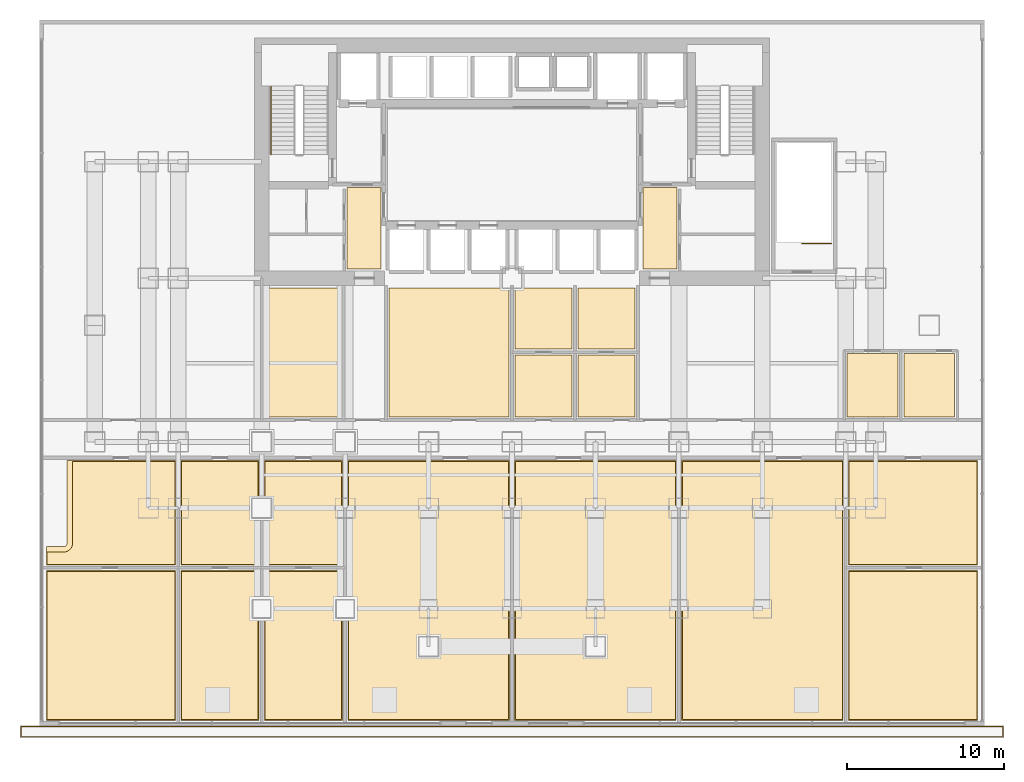
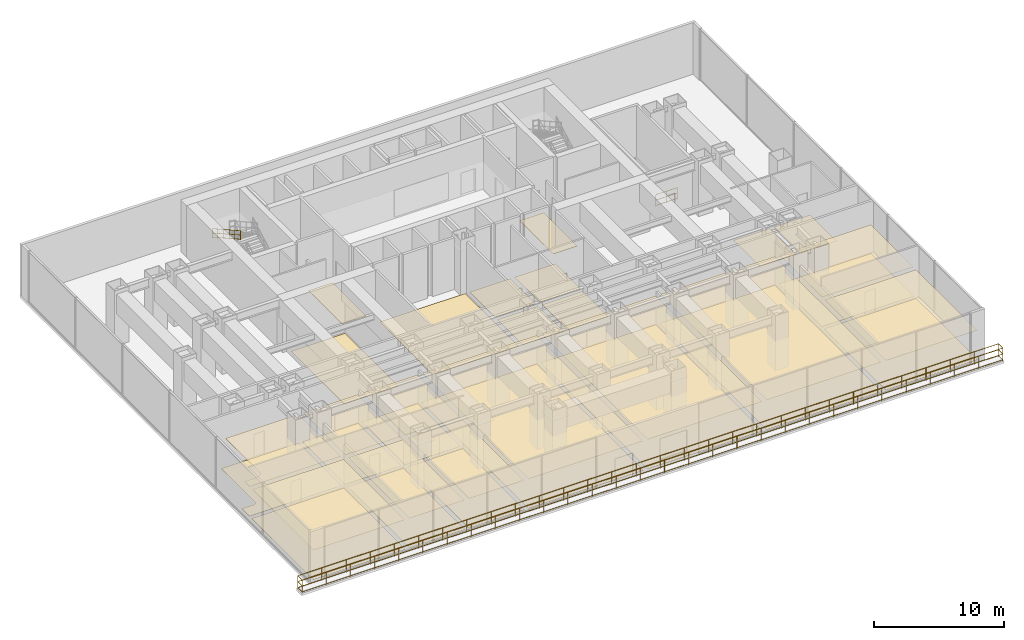
# One storey, part 11 of 12: 32 coverings, 3 railings.
"""IFC4 building model written with IfcOpenShell, lengths in metres."""

from ifc_helpers import new_model, si_unit, direction, frame, origin, origin_2d, place, context, subcontext, project, spatial, polyline, circle, outline, extrude, material, layer, layer_set, type_object, element, save


model = new_model("IFC4")

# Units and contexts
model_context = context("Model", 3, precision=1e-05, world=origin(), true_north=direction((0.0, 1.0)))
body_context = subcontext(model_context, "Body", "Model", "MODEL_VIEW")
ifc_project = project(units=[si_unit("LENGTHUNIT", "METRE"), si_unit("AREAUNIT", "SQUARE_METRE"), si_unit("VOLUMEUNIT", "CUBIC_METRE"), si_unit("PLANEANGLEUNIT", "RADIAN"), si_unit("MASSUNIT", "GRAM", prefix="KILO")], contexts=[model_context])

# Site, building, storey
site_placement = place(None, origin())
site = spatial("IfcSite", under=ifc_project, at=site_placement, CompositionType="ELEMENT")
building_placement = place(site_placement, origin())
building = spatial("IfcBuilding", under=site, at=building_placement, Name="Qianlan Lanfeng Residences", CompositionType="ELEMENT")
storey_placement = place(building_placement, frame((0.0, 0.0, 19.0)))
storey = spatial("IfcBuildingStorey", under=building, at=storey_placement, Name="L04", CompositionType="ELEMENT", Elevation=19.0)

# Coverings
ifc_material_1 = material(Name="Acoustic Perforated Gypsum Ceiling Board")
ifc_layer_1 = layer(ifc_material_1, 0.02001953125)
ifc_layer_set_1 = layer_set([ifc_layer_1], Name="Acoustic Perforated Gypsum Ceiling Board")
covering_type_1 = type_object("IfcCoveringType", Name="CLG-GYP-15", PredefinedType="CEILING", material=ifc_layer_set_1)
covering_1_placement = place(storey_placement, frame((0.0, 0.0, 2.75)))
element("IfcCovering", 1, at=covering_1_placement, inside=storey, type_object=covering_type_1, Name="L04 Management Office Suspended Ceiling", PredefinedType="CEILING", context=body_context, shape_type="SweptSolid", body=[
    extrude(outline(polyline([(-3.030029296875, 7.02001953125), (5.080078125, 7.02001953125), (5.080078125, 13.56005859375), (-1.39990234375, 13.56005859375), (-1.39990234375, 8.39990234375), (-1.39990234375, 8.383056640625), (-1.402099609375, 8.35791015625), (-1.405029296875, 8.323974609375), (-1.408935546875, 8.300048828125), (-1.4150390625, 8.26611328125), (-1.4208984375, 8.241943359375), (-1.430908203125, 8.2099609375), (-1.43896484375, 8.18603515625), (-1.452880859375, 8.155029296875), (-1.462890625, 8.133056640625), (-1.47900390625, 8.10205078125), (-1.491943359375, 8.0810546875), (-1.510986328125, 8.052978515625), (-1.52587890625, 8.032958984375), (-1.547119140625, 8.006103515625), (-1.56396484375, 7.988037109375), (-1.587890625, 7.964111328125), (-1.60595703125, 7.947021484375), (-1.633056640625, 7.926025390625), (-1.653076171875, 7.910888671875), (-1.680908203125, 7.89208984375), (-1.701904296875, 7.87890625), (-1.73291015625, 7.863037109375), (-1.7548828125, 7.85302734375), (-1.785888671875, 7.839111328125), (-1.81005859375, 7.8310546875), (-1.842041015625, 7.821044921875), (-1.865966796875, 7.81494140625), (-1.89990234375, 7.80908203125), (-1.924072265625, 7.804931640625), (-1.9580078125, 7.802001953125), (-1.98291015625, 7.800048828125), (-2.0, 7.800048828125), (-3.030029296875, 7.800048828125), (-3.030029296875, 7.02001953125)])), origin(), (0.0, 0.0, 1.0), 0.02001953125),
])
covering_2_placement = place(storey_placement, frame((0.0, 0.0, 2.75)))
element("IfcCovering", 2, at=covering_2_placement, inside=storey, type_object=covering_type_1, Name="L04 Club Reading Salon Suspended Ceiling", PredefinedType="CEILING", context=body_context, shape_type="SweptSolid", body=[
    extrude(outline(polyline([(-3.030029296875, -2.830078125), (5.080078125, -2.830078125), (5.080078125, 6.580078125), (-3.030029296875, 6.580078125), (-3.030029296875, -2.830078125)])), origin(), (0.0, 0.0, 1.0), 0.02001953125),
])
covering_3_placement = place(storey_placement, frame((0.0, 0.0, 2.75)))
element("IfcCovering", 3, at=covering_3_placement, inside=storey, type_object=covering_type_1, Name="L04 Management Office Suspended Ceiling", PredefinedType="CEILING", context=body_context, shape_type="SweptSolid", body=[
    extrude(outline(polyline([(5.52001953125, 7.02001953125), (10.3798828125, 7.02001953125), (10.3798828125, 13.56005859375), (5.52001953125, 13.56005859375), (5.52001953125, 7.02001953125)])), origin(), (0.0, 0.0, 1.0), 0.02001953125),
])
covering_4_placement = place(storey_placement, frame((0.0, 0.0, 2.75)))
element("IfcCovering", 4, at=covering_4_placement, inside=storey, type_object=covering_type_1, Name="L04 Club Reading Salon Suspended Ceiling", PredefinedType="CEILING", context=body_context, shape_type="SweptSolid", body=[
    extrude(outline(polyline([(5.52001953125, -2.830078125), (10.3798828125, -2.830078125), (10.3798828125, 6.580078125), (5.52001953125, 6.580078125), (5.52001953125, -2.830078125)])), origin(), (0.0, 0.0, 1.0), 0.02001953125),
])
covering_5_placement = place(storey_placement, frame((0.0, 0.0, 2.75)))
element("IfcCovering", 5, at=covering_5_placement, inside=storey, type_object=covering_type_1, Name="L04 Management Office Suspended Ceiling", PredefinedType="CEILING", context=body_context, shape_type="SweptSolid", body=[
    extrude(outline(polyline([(10.820068359375, 7.02001953125), (15.679931640625, 7.02001953125), (15.679931640625, 13.56005859375), (10.820068359375, 13.56005859375), (10.820068359375, 7.02001953125)])), origin(), (0.0, 0.0, 1.0), 0.02001953125),
])
covering_6_placement = place(storey_placement, frame((0.0, 0.0, 2.75)))
element("IfcCovering", 6, at=covering_6_placement, inside=storey, type_object=covering_type_1, Name="L04 Club Reading Salon Suspended Ceiling", PredefinedType="CEILING", context=body_context, shape_type="SweptSolid", body=[
    extrude(outline(polyline([(10.820068359375, -2.830078125), (15.679931640625, -2.830078125), (15.679931640625, 6.580078125), (10.820068359375, 6.580078125), (10.820068359375, -2.830078125)])), origin(), (0.0, 0.0, 1.0), 0.02001953125),
])
covering_7_placement = place(storey_placement, frame((0.0, 0.0, 2.75)))
element("IfcCovering", 7, at=covering_7_placement, inside=storey, type_object=covering_type_1, Name="L04 Banquet Dining Room Suspended Ceiling", PredefinedType="CEILING", context=body_context, shape_type="SweptSolid", body=[
    extrude(outline(polyline([(16.1201171875, -2.830078125), (26.280029296875, -2.830078125), (26.280029296875, 13.56005859375), (16.1201171875, 13.56005859375), (16.1201171875, -2.830078125)])), origin(), (0.0, 0.0, 1.0), 0.02001953125),
])
covering_8_placement = place(storey_placement, frame((0.0, 0.0, 2.75)))
element("IfcCovering", 8, at=covering_8_placement, inside=storey, type_object=covering_type_1, Name="L04 Private Banquet Dining Room Suspended Ceiling", PredefinedType="CEILING", context=body_context, shape_type="SweptSolid", body=[
    extrude(outline(polyline([(26.719970703125, -2.830078125), (36.8798828125, -2.830078125), (36.8798828125, 13.56005859375), (26.719970703125, 13.56005859375), (26.719970703125, -2.830078125)])), origin(), (0.0, 0.0, 1.0), 0.02001953125),
])
covering_9_placement = place(storey_placement, frame((0.0, 0.0, 2.75)))
element("IfcCovering", 9, at=covering_9_placement, inside=storey, type_object=covering_type_1, Name="L04 Tea Salon Suspended Ceiling", PredefinedType="CEILING", context=body_context, shape_type="SweptSolid", body=[
    extrude(outline(polyline([(37.320068359375, -2.830078125), (47.47998046875, -2.830078125), (47.47998046875, 13.56005859375), (37.320068359375, 13.56005859375), (37.320068359375, -2.830078125)])), origin(), (0.0, 0.0, 1.0), 0.02001953125),
])
covering_10_placement = place(storey_placement, frame((0.0, 0.0, 2.75)))
element("IfcCovering", 10, at=covering_10_placement, inside=storey, type_object=covering_type_1, Name="L04 Management Office Suspended Ceiling", PredefinedType="CEILING", context=body_context, shape_type="SweptSolid", body=[
    extrude(outline(polyline([(47.919921875, 7.02001953125), (56.030029296875, 7.02001953125), (56.030029296875, 13.56005859375), (47.919921875, 13.56005859375), (47.919921875, 7.02001953125)])), origin(), (0.0, 0.0, 1.0), 0.02001953125),
])
covering_11_placement = place(storey_placement, frame((0.0, 0.0, 2.75)))
element("IfcCovering", 11, at=covering_11_placement, inside=storey, type_object=covering_type_1, Name="L04 Club Reading Salon Suspended Ceiling", PredefinedType="CEILING", context=body_context, shape_type="SweptSolid", body=[
    extrude(outline(polyline([(47.919921875, -2.830078125), (56.030029296875, -2.830078125), (56.030029296875, 6.580078125), (47.919921875, 6.580078125), (47.919921875, -2.830078125)])), origin(), (0.0, 0.0, 1.0), 0.02001953125),
])
ifc_material_2 = material(Name="Honed Taitung Granite Stone Flooring", Category="masonry")
ifc_layer_2 = layer(ifc_material_2, 0.030029296875)
ifc_layer_set_2 = layer_set([ifc_layer_2], Name="Honed Taitung Granite Stone Flooring")
covering_type_2 = type_object("IfcCoveringType", Name="FLR-STN-30", PredefinedType="FLOORING", material=ifc_layer_set_2)
covering_12_placement = place(storey_placement, origin())
element("IfcCovering", 12, at=covering_12_placement, inside=storey, type_object=covering_type_2, Name="L04 Lift Lobby Floor Finish", PredefinedType="FLOORING", context=body_context, shape_type="SweptSolid", body=[
    extrude(outline(polyline([(16.030029296875, 25.77001953125), (18.169921875, 25.77001953125), (18.169921875, 30.949951171875), (16.030029296875, 30.949951171875), (16.030029296875, 25.77001953125)])), origin(), (0.0, 0.0, 1.0), 0.030029296875),
])
covering_13_placement = place(storey_placement, origin())
element("IfcCovering", 13, at=covering_13_placement, inside=storey, type_object=covering_type_2, Name="L04 Lift Lobby Floor Finish", PredefinedType="FLOORING", context=body_context, shape_type="SweptSolid", body=[
    extrude(outline(polyline([(34.830078125, 25.77001953125), (36.969970703125, 25.77001953125), (36.969970703125, 30.949951171875), (34.830078125, 30.949951171875), (34.830078125, 25.77001953125)])), origin(), (0.0, 0.0, 1.0), 0.030029296875),
])
ifc_material_3 = material(Name="Slip-Resistant Porcelain Tile Flooring")
ifc_layer_3 = layer(ifc_material_3, 0.02001953125)
ifc_layer_set_3 = layer_set([ifc_layer_3], Name="Slip-Resistant Porcelain Tile Flooring")
covering_type_3 = type_object("IfcCoveringType", Name="FLR-TIL-20", PredefinedType="FLOORING", material=ifc_layer_set_3)
covering_14_placement = place(storey_placement, origin())
element("IfcCovering", 14, at=covering_14_placement, inside=storey, type_object=covering_type_3, Name="L04 Kitchen Floor Finish", PredefinedType="FLOORING", context=body_context, shape_type="SweptSolid", body=[
    extrude(outline(polyline([(26.68994140625, 16.389892578125), (30.31005859375, 16.389892578125), (30.31005859375, 20.31005859375), (26.68994140625, 20.31005859375), (26.68994140625, 16.389892578125)])), origin(), (0.0, 0.0, 1.0), 0.02001953125),
])
covering_15_placement = place(storey_placement, origin())
element("IfcCovering", 15, at=covering_15_placement, inside=storey, type_object=covering_type_3, Name="L04 Kitchen Floor Finish", PredefinedType="FLOORING", context=body_context, shape_type="SweptSolid", body=[
    extrude(outline(polyline([(26.68994140625, 20.68994140625), (30.31005859375, 20.68994140625), (30.31005859375, 24.580078125), (26.68994140625, 24.580078125), (26.68994140625, 20.68994140625)])), origin(), (0.0, 0.0, 1.0), 0.02001953125),
])
covering_16_placement = place(storey_placement, origin())
element("IfcCovering", 16, at=covering_16_placement, inside=storey, type_object=covering_type_3, Name="L04 Public Restroom Floor Finish", PredefinedType="FLOORING", context=body_context, shape_type="SweptSolid", body=[
    extrude(outline(polyline([(47.7900390625, 16.389892578125), (51.010009765625, 16.389892578125), (51.010009765625, 20.429931640625), (47.7900390625, 20.429931640625), (47.7900390625, 16.389892578125)])), origin(), (0.0, 0.0, 1.0), 0.02001953125),
])
covering_17_placement = place(storey_placement, origin())
element("IfcCovering", 17, at=covering_17_placement, inside=storey, type_object=covering_type_3, Name="L04 Accessible WC Floor Finish", PredefinedType="FLOORING", context=body_context, shape_type="SweptSolid", body=[
    extrude(outline(polyline([(51.389892578125, 16.389892578125), (54.610107421875, 16.389892578125), (54.610107421875, 20.429931640625), (51.389892578125, 20.429931640625), (51.389892578125, 16.389892578125)])), origin(), (0.0, 0.0, 1.0), 0.02001953125),
])
ifc_material_4 = material(Name="Engineered Smoked Oak Timber Flooring", Category="wood")
ifc_layer_4 = layer(ifc_material_4, 0.02197265625)
ifc_layer_set_4 = layer_set([ifc_layer_4], Name="Engineered Smoked Oak Timber Flooring")
covering_type_4 = type_object("IfcCoveringType", Name="FLR-TIM-22", PredefinedType="FLOORING", material=ifc_layer_set_4)
covering_18_placement = place(storey_placement, origin())
element("IfcCovering", 18, at=covering_18_placement, inside=storey, type_object=covering_type_4, Name="L04 Management Office Floor Finish", PredefinedType="FLOORING", context=body_context, shape_type="SweptSolid", body=[
    extrude(outline(polyline([(-3.080078125, 6.969970703125), (5.1298828125, 6.969970703125), (5.1298828125, 13.610107421875), (-1.75, 13.610107421875), (-1.75, 8.39990234375), (-1.7509765625, 8.375), (-1.7548828125, 8.35107421875), (-1.760986328125, 8.326904296875), (-1.76904296875, 8.303955078125), (-1.780029296875, 8.281982421875), (-1.7919921875, 8.260986328125), (-1.806884765625, 8.240966796875), (-1.822998046875, 8.222900390625), (-1.841064453125, 8.20703125), (-1.861083984375, 8.19189453125), (-1.882080078125, 8.179931640625), (-1.904052734375, 8.1689453125), (-1.927001953125, 8.160888671875), (-1.950927734375, 8.155029296875), (-1.97509765625, 8.15087890625), (-2.0, 8.14990234375), (-3.080078125, 8.14990234375), (-3.080078125, 6.969970703125)])), origin(), (0.0, 0.0, 1.0), 0.02197265625),
])
covering_19_placement = place(storey_placement, origin())
element("IfcCovering", 19, at=covering_19_placement, inside=storey, type_object=covering_type_4, Name="L04 Club Reading Salon Floor Finish", PredefinedType="FLOORING", context=body_context, shape_type="SweptSolid", body=[
    extrude(outline(polyline([(-3.080078125, -2.8798828125), (5.1298828125, -2.8798828125), (5.1298828125, 6.6298828125), (-3.080078125, 6.6298828125), (-3.080078125, -2.8798828125)])), origin(), (0.0, 0.0, 1.0), 0.02197265625),
])
covering_20_placement = place(storey_placement, origin())
element("IfcCovering", 20, at=covering_20_placement, inside=storey, type_object=covering_type_4, Name="L04 Management Office Floor Finish", PredefinedType="FLOORING", context=body_context, shape_type="SweptSolid", body=[
    extrude(outline(polyline([(5.469970703125, 6.969970703125), (10.429931640625, 6.969970703125), (10.429931640625, 13.610107421875), (5.469970703125, 13.610107421875), (5.469970703125, 6.969970703125)])), origin(), (0.0, 0.0, 1.0), 0.02197265625),
])
covering_21_placement = place(storey_placement, origin())
element("IfcCovering", 21, at=covering_21_placement, inside=storey, type_object=covering_type_4, Name="L04 Club Reading Salon Floor Finish", PredefinedType="FLOORING", context=body_context, shape_type="SweptSolid", body=[
    extrude(outline(polyline([(5.469970703125, -2.8798828125), (10.429931640625, -2.8798828125), (10.429931640625, 6.6298828125), (5.469970703125, 6.6298828125), (5.469970703125, -2.8798828125)])), origin(), (0.0, 0.0, 1.0), 0.02197265625),
])
covering_22_placement = place(storey_placement, origin())
element("IfcCovering", 22, at=covering_22_placement, inside=storey, type_object=covering_type_4, Name="L04 Management Office Floor Finish", PredefinedType="FLOORING", context=body_context, shape_type="SweptSolid", body=[
    extrude(outline(polyline([(10.77001953125, 6.969970703125), (15.72998046875, 6.969970703125), (15.72998046875, 13.610107421875), (10.77001953125, 13.610107421875), (10.77001953125, 6.969970703125)])), origin(), (0.0, 0.0, 1.0), 0.02197265625),
])
covering_23_placement = place(storey_placement, origin())
element("IfcCovering", 23, at=covering_23_placement, inside=storey, type_object=covering_type_4, Name="L04 Club Reading Salon Floor Finish", PredefinedType="FLOORING", context=body_context, shape_type="SweptSolid", body=[
    extrude(outline(polyline([(10.77001953125, -2.8798828125), (15.72998046875, -2.8798828125), (15.72998046875, 6.6298828125), (10.77001953125, 6.6298828125), (10.77001953125, -2.8798828125)])), origin(), (0.0, 0.0, 1.0), 0.02197265625),
])
covering_24_placement = place(storey_placement, origin())
element("IfcCovering", 24, at=covering_24_placement, inside=storey, type_object=covering_type_4, Name="L04 Banquet Dining Room Floor Finish", PredefinedType="FLOORING", context=body_context, shape_type="SweptSolid", body=[
    extrude(outline(polyline([(16.070068359375, -2.8798828125), (26.330078125, -2.8798828125), (26.330078125, 13.610107421875), (16.070068359375, 13.610107421875), (16.070068359375, -2.8798828125)])), origin(), (0.0, 0.0, 1.0), 0.02197265625),
])
covering_25_placement = place(storey_placement, origin())
element("IfcCovering", 25, at=covering_25_placement, inside=storey, type_object=covering_type_4, Name="L04 Private Banquet Dining Room Floor Finish", PredefinedType="FLOORING", context=body_context, shape_type="SweptSolid", body=[
    extrude(outline(polyline([(26.669921875, -2.8798828125), (36.929931640625, -2.8798828125), (36.929931640625, 13.610107421875), (26.669921875, 13.610107421875), (26.669921875, -2.8798828125)])), origin(), (0.0, 0.0, 1.0), 0.02197265625),
])
covering_26_placement = place(storey_placement, origin())
element("IfcCovering", 26, at=covering_26_placement, inside=storey, type_object=covering_type_4, Name="L04 Tea Salon Floor Finish", PredefinedType="FLOORING", context=body_context, shape_type="SweptSolid", body=[
    extrude(outline(polyline([(37.27001953125, -2.8798828125), (47.530029296875, -2.8798828125), (47.530029296875, 13.610107421875), (37.27001953125, 13.610107421875), (37.27001953125, -2.8798828125)])), origin(), (0.0, 0.0, 1.0), 0.02197265625),
])
covering_27_placement = place(storey_placement, origin())
element("IfcCovering", 27, at=covering_27_placement, inside=storey, type_object=covering_type_4, Name="L04 Management Office Floor Finish", PredefinedType="FLOORING", context=body_context, shape_type="SweptSolid", body=[
    extrude(outline(polyline([(47.8701171875, 6.969970703125), (56.080078125, 6.969970703125), (56.080078125, 13.610107421875), (47.8701171875, 13.610107421875), (47.8701171875, 6.969970703125)])), origin(), (0.0, 0.0, 1.0), 0.02197265625),
])
covering_28_placement = place(storey_placement, origin())
element("IfcCovering", 28, at=covering_28_placement, inside=storey, type_object=covering_type_4, Name="L04 Club Reading Salon Floor Finish", PredefinedType="FLOORING", context=body_context, shape_type="SweptSolid", body=[
    extrude(outline(polyline([(47.8701171875, -2.8798828125), (56.080078125, -2.8798828125), (56.080078125, 6.6298828125), (47.8701171875, 6.6298828125), (47.8701171875, -2.8798828125)])), origin(), (0.0, 0.0, 1.0), 0.02197265625),
])
covering_29_placement = place(storey_placement, origin())
element("IfcCovering", 29, at=covering_29_placement, inside=storey, type_object=covering_type_4, Name="L04 Boardroom Suite Floor Finish", PredefinedType="FLOORING", context=body_context, shape_type="SweptSolid", body=[
    extrude(outline(polyline([(10.7900390625, 16.389892578125), (15.610107421875, 16.389892578125), (15.610107421875, 24.580078125), (10.7900390625, 24.580078125), (10.7900390625, 16.389892578125)])), origin(), (0.0, 0.0, 1.0), 0.02197265625),
])
covering_30_placement = place(storey_placement, origin())
element("IfcCovering", 30, at=covering_30_placement, inside=storey, type_object=covering_type_4, Name="L04 Private Cinema Room Floor Finish", PredefinedType="FLOORING", context=body_context, shape_type="SweptSolid", body=[
    extrude(outline(polyline([(18.68994140625, 16.389892578125), (26.31005859375, 16.389892578125), (26.31005859375, 24.580078125), (18.68994140625, 24.580078125), (18.68994140625, 16.389892578125)])), origin(), (0.0, 0.0, 1.0), 0.02197265625),
])
covering_31_placement = place(storey_placement, origin())
element("IfcCovering", 31, at=covering_31_placement, inside=storey, type_object=covering_type_4, Name="L04 Business Meeting Room Floor Finish", PredefinedType="FLOORING", context=body_context, shape_type="SweptSolid", body=[
    extrude(outline(polyline([(30.68994140625, 16.389892578125), (34.31005859375, 16.389892578125), (34.31005859375, 20.31005859375), (30.68994140625, 20.31005859375), (30.68994140625, 16.389892578125)])), origin(), (0.0, 0.0, 1.0), 0.02197265625),
])
covering_32_placement = place(storey_placement, origin())
element("IfcCovering", 32, at=covering_32_placement, inside=storey, type_object=covering_type_4, Name="L04 Club Reading Salon Floor Finish", PredefinedType="FLOORING", context=body_context, shape_type="SweptSolid", body=[
    extrude(outline(polyline([(30.68994140625, 20.68994140625), (34.31005859375, 20.68994140625), (34.31005859375, 24.580078125), (30.68994140625, 24.580078125), (30.68994140625, 20.68994140625)])), origin(), (0.0, 0.0, 1.0), 0.02197265625),
])

# Railings
ifc_material_5 = material(Name="Anodised Bronze Aluminium and Laminated Glass Guard Balustrade", Category="aluminium")
railing_type_1 = type_object("IfcRailingType", Name="GR-EXT-1220", PredefinedType="BALUSTRADE", material=ifc_material_5)
railing_1_placement = place(storey_placement, frame((-4.679931640625, -3.27001953125, 0.0)))
element("IfcRailing", 33, at=railing_1_placement, inside=storey, type_object=railing_type_1, Name="L04 Terrace Safety Guard GR-L04-TER", PredefinedType="BALUSTRADE", context=body_context, shape_type="SweptSolid", body=[
    extrude(circle(Radius=0.02490234375, at=origin_2d()), frame((0.0, 0.0, 0.0849609375), z_axis=(1.0, 0.0, 0.0), x_axis=(0.0, 1.0, 0.0)), (0.0, 0.0, 1.0), 62.35986328125),
    extrude(circle(Radius=0.02490234375, at=origin_2d()), frame((0.0, 0.0, 0.63427734375), z_axis=(1.0, 0.0, 0.0), x_axis=(0.0, 1.0, 0.0)), (0.0, 0.0, 1.0), 62.35986328125),
    extrude(circle(Radius=0.02490234375, at=origin_2d()), frame((0.0, 0.0, 1.19482421875), z_axis=(1.0, 0.0, 0.0), x_axis=(0.0, 1.0, 0.0)), (0.0, 0.0, 1.0), 62.35986328125),
    extrude(circle(Radius=0.02490234375, at=origin_2d()), frame((62.35986328125, 0.0, 0.0849609375), z_axis=(0.0, -1.0, 0.0), x_axis=(1.0, 0.0, 0.0)), (0.0, 0.0, 1.0), 0.659912109375),
    extrude(circle(Radius=0.02490234375, at=origin_2d()), frame((62.35986328125, 0.0, 0.63427734375), z_axis=(0.0, -1.0, 0.0), x_axis=(1.0, 0.0, 0.0)), (0.0, 0.0, 1.0), 0.659912109375),
    extrude(circle(Radius=0.02490234375, at=origin_2d()), frame((62.35986328125, 0.0, 1.19482421875), z_axis=(0.0, -1.0, 0.0), x_axis=(1.0, 0.0, 0.0)), (0.0, 0.0, 1.0), 0.659912109375),
    extrude(circle(Radius=0.02490234375, at=origin_2d()), frame((62.35986328125, -0.659912109375, 0.0849609375), z_axis=(-1.0, 0.0, 0.0), x_axis=(0.0, -1.0, 0.0)), (0.0, 0.0, 1.0), 62.35986328125),
    extrude(circle(Radius=0.02490234375, at=origin_2d()), frame((62.35986328125, -0.659912109375, 0.63427734375), z_axis=(-1.0, 0.0, 0.0), x_axis=(0.0, -1.0, 0.0)), (0.0, 0.0, 1.0), 62.35986328125),
    extrude(circle(Radius=0.02490234375, at=origin_2d()), frame((62.35986328125, -0.659912109375, 1.19482421875), z_axis=(-1.0, 0.0, 0.0), x_axis=(0.0, -1.0, 0.0)), (0.0, 0.0, 1.0), 62.35986328125),
    extrude(circle(Radius=0.02490234375, at=origin_2d()), frame((0.0, -0.659912109375, 0.0849609375), z_axis=(0.0, 1.0, 0.0), x_axis=(-1.0, 0.0, 0.0)), (0.0, 0.0, 1.0), 0.659912109375),
    extrude(circle(Radius=0.02490234375, at=origin_2d()), frame((0.0, -0.659912109375, 0.63427734375), z_axis=(0.0, 1.0, 0.0), x_axis=(-1.0, 0.0, 0.0)), (0.0, 0.0, 1.0), 0.659912109375),
    extrude(circle(Radius=0.02490234375, at=origin_2d()), frame((0.0, -0.659912109375, 1.19482421875), z_axis=(0.0, 1.0, 0.0), x_axis=(-1.0, 0.0, 0.0)), (0.0, 0.0, 1.0), 0.659912109375),
    extrude(circle(Radius=0.02099609375, at=origin_2d()), origin(), (0.0, 0.0, 1.0), 1.169921875),
    extrude(circle(Radius=0.02099609375, at=origin_2d()), frame((2.150390625, 0.0, 0.0)), (0.0, 0.0, 1.0), 1.169921875),
    extrude(circle(Radius=0.02099609375, at=origin_2d()), frame((4.30078125, 0.0, 0.0)), (0.0, 0.0, 1.0), 1.169921875),
    extrude(circle(Radius=0.02099609375, at=origin_2d()), frame((6.450927734375, 0.0, 0.0)), (0.0, 0.0, 1.0), 1.169921875),
    extrude(circle(Radius=0.02099609375, at=origin_2d()), frame((8.601318359375, 0.0, 0.0)), (0.0, 0.0, 1.0), 1.169921875),
    extrude(circle(Radius=0.02099609375, at=origin_2d()), frame((10.751708984375, 0.0, 0.0)), (0.0, 0.0, 1.0), 1.169921875),
    extrude(circle(Radius=0.02099609375, at=origin_2d()), frame((12.902099609375, 0.0, 0.0)), (0.0, 0.0, 1.0), 1.169921875),
    extrude(circle(Radius=0.02099609375, at=origin_2d()), frame((15.052490234375, 0.0, 0.0)), (0.0, 0.0, 1.0), 1.169921875),
    extrude(circle(Radius=0.02099609375, at=origin_2d()), frame((17.20263671875, 0.0, 0.0)), (0.0, 0.0, 1.0), 1.169921875),
    extrude(circle(Radius=0.02099609375, at=origin_2d()), frame((19.35302734375, 0.0, 0.0)), (0.0, 0.0, 1.0), 1.169921875),
    extrude(circle(Radius=0.02099609375, at=origin_2d()), frame((21.50341796875, 0.0, 0.0)), (0.0, 0.0, 1.0), 1.169921875),
    extrude(circle(Radius=0.02099609375, at=origin_2d()), frame((23.65380859375, 0.0, 0.0)), (0.0, 0.0, 1.0), 1.169921875),
    extrude(circle(Radius=0.02099609375, at=origin_2d()), frame((25.80419921875, 0.0, 0.0)), (0.0, 0.0, 1.0), 1.169921875),
    extrude(circle(Radius=0.02099609375, at=origin_2d()), frame((27.954345703125, 0.0, 0.0)), (0.0, 0.0, 1.0), 1.169921875),
    extrude(circle(Radius=0.02099609375, at=origin_2d()), frame((30.104736328125, 0.0, 0.0)), (0.0, 0.0, 1.0), 1.169921875),
    extrude(circle(Radius=0.02099609375, at=origin_2d()), frame((32.255126953125, 0.0, 0.0)), (0.0, 0.0, 1.0), 1.169921875),
    extrude(circle(Radius=0.02099609375, at=origin_2d()), frame((34.405517578125, 0.0, 0.0)), (0.0, 0.0, 1.0), 1.169921875),
    extrude(circle(Radius=0.02099609375, at=origin_2d()), frame((36.5556640625, 0.0, 0.0)), (0.0, 0.0, 1.0), 1.169921875),
    extrude(circle(Radius=0.02099609375, at=origin_2d()), frame((38.7060546875, 0.0, 0.0)), (0.0, 0.0, 1.0), 1.169921875),
    extrude(circle(Radius=0.02099609375, at=origin_2d()), frame((40.8564453125, 0.0, 0.0)), (0.0, 0.0, 1.0), 1.169921875),
    extrude(circle(Radius=0.02099609375, at=origin_2d()), frame((43.0068359375, 0.0, 0.0)), (0.0, 0.0, 1.0), 1.169921875),
    extrude(circle(Radius=0.02099609375, at=origin_2d()), frame((45.1572265625, 0.0, 0.0)), (0.0, 0.0, 1.0), 1.169921875),
    extrude(circle(Radius=0.02099609375, at=origin_2d()), frame((47.307373046875, 0.0, 0.0)), (0.0, 0.0, 1.0), 1.169921875),
    extrude(circle(Radius=0.02099609375, at=origin_2d()), frame((49.457763671875, 0.0, 0.0)), (0.0, 0.0, 1.0), 1.169921875),
    extrude(circle(Radius=0.02099609375, at=origin_2d()), frame((51.608154296875, 0.0, 0.0)), (0.0, 0.0, 1.0), 1.169921875),
    extrude(circle(Radius=0.02099609375, at=origin_2d()), frame((53.758544921875, 0.0, 0.0)), (0.0, 0.0, 1.0), 1.169921875),
    extrude(circle(Radius=0.02099609375, at=origin_2d()), frame((55.908935546875, 0.0, 0.0)), (0.0, 0.0, 1.0), 1.169921875),
    extrude(circle(Radius=0.02099609375, at=origin_2d()), frame((58.05908203125, 0.0, 0.0)), (0.0, 0.0, 1.0), 1.169921875),
    extrude(circle(Radius=0.02099609375, at=origin_2d()), frame((60.20947265625, 0.0, 0.0)), (0.0, 0.0, 1.0), 1.169921875),
    extrude(circle(Radius=0.02099609375, at=origin_2d()), frame((62.35986328125, 0.0, 0.0)), (0.0, 0.0, 1.0), 1.169921875),
    extrude(circle(Radius=0.02099609375, at=origin_2d()), frame((62.35986328125, -0.659912109375, 0.0)), (0.0, 0.0, 1.0), 1.169921875),
    extrude(circle(Radius=0.02099609375, at=origin_2d()), frame((60.20947265625, -0.659912109375, 0.0)), (0.0, 0.0, 1.0), 1.169921875),
    extrude(circle(Radius=0.02099609375, at=origin_2d()), frame((58.05908203125, -0.659912109375, 0.0)), (0.0, 0.0, 1.0), 1.169921875),
    extrude(circle(Radius=0.02099609375, at=origin_2d()), frame((55.908935546875, -0.659912109375, 0.0)), (0.0, 0.0, 1.0), 1.169921875),
    extrude(circle(Radius=0.02099609375, at=origin_2d()), frame((53.758544921875, -0.659912109375, 0.0)), (0.0, 0.0, 1.0), 1.169921875),
    extrude(circle(Radius=0.02099609375, at=origin_2d()), frame((51.608154296875, -0.659912109375, 0.0)), (0.0, 0.0, 1.0), 1.169921875),
    extrude(circle(Radius=0.02099609375, at=origin_2d()), frame((49.457763671875, -0.659912109375, 0.0)), (0.0, 0.0, 1.0), 1.169921875),
    extrude(circle(Radius=0.02099609375, at=origin_2d()), frame((47.307373046875, -0.659912109375, 0.0)), (0.0, 0.0, 1.0), 1.169921875),
    extrude(circle(Radius=0.02099609375, at=origin_2d()), frame((45.1572265625, -0.659912109375, 0.0)), (0.0, 0.0, 1.0), 1.169921875),
    extrude(circle(Radius=0.02099609375, at=origin_2d()), frame((43.0068359375, -0.659912109375, 0.0)), (0.0, 0.0, 1.0), 1.169921875),
    extrude(circle(Radius=0.02099609375, at=origin_2d()), frame((40.8564453125, -0.659912109375, 0.0)), (0.0, 0.0, 1.0), 1.169921875),
    extrude(circle(Radius=0.02099609375, at=origin_2d()), frame((38.7060546875, -0.659912109375, 0.0)), (0.0, 0.0, 1.0), 1.169921875),
    extrude(circle(Radius=0.02099609375, at=origin_2d()), frame((36.5556640625, -0.659912109375, 0.0)), (0.0, 0.0, 1.0), 1.169921875),
    extrude(circle(Radius=0.02099609375, at=origin_2d()), frame((34.405517578125, -0.659912109375, 0.0)), (0.0, 0.0, 1.0), 1.169921875),
    extrude(circle(Radius=0.02099609375, at=origin_2d()), frame((32.255126953125, -0.659912109375, 0.0)), (0.0, 0.0, 1.0), 1.169921875),
    extrude(circle(Radius=0.02099609375, at=origin_2d()), frame((30.104736328125, -0.659912109375, 0.0)), (0.0, 0.0, 1.0), 1.169921875),
    extrude(circle(Radius=0.02099609375, at=origin_2d()), frame((27.954345703125, -0.659912109375, 0.0)), (0.0, 0.0, 1.0), 1.169921875),
    extrude(circle(Radius=0.02099609375, at=origin_2d()), frame((25.80419921875, -0.659912109375, 0.0)), (0.0, 0.0, 1.0), 1.169921875),
    extrude(circle(Radius=0.02099609375, at=origin_2d()), frame((23.65380859375, -0.659912109375, 0.0)), (0.0, 0.0, 1.0), 1.169921875),
    extrude(circle(Radius=0.02099609375, at=origin_2d()), frame((21.50341796875, -0.659912109375, 0.0)), (0.0, 0.0, 1.0), 1.169921875),
    extrude(circle(Radius=0.02099609375, at=origin_2d()), frame((19.35302734375, -0.659912109375, 0.0)), (0.0, 0.0, 1.0), 1.169921875),
    extrude(circle(Radius=0.02099609375, at=origin_2d()), frame((17.20263671875, -0.659912109375, 0.0)), (0.0, 0.0, 1.0), 1.169921875),
    extrude(circle(Radius=0.02099609375, at=origin_2d()), frame((15.052490234375, -0.659912109375, 0.0)), (0.0, 0.0, 1.0), 1.169921875),
    extrude(circle(Radius=0.02099609375, at=origin_2d()), frame((12.902099609375, -0.659912109375, 0.0)), (0.0, 0.0, 1.0), 1.169921875),
    extrude(circle(Radius=0.02099609375, at=origin_2d()), frame((10.751708984375, -0.659912109375, 0.0)), (0.0, 0.0, 1.0), 1.169921875),
    extrude(circle(Radius=0.02099609375, at=origin_2d()), frame((8.601318359375, -0.659912109375, 0.0)), (0.0, 0.0, 1.0), 1.169921875),
    extrude(circle(Radius=0.02099609375, at=origin_2d()), frame((6.450927734375, -0.659912109375, 0.0)), (0.0, 0.0, 1.0), 1.169921875),
    extrude(circle(Radius=0.02099609375, at=origin_2d()), frame((4.30078125, -0.659912109375, 0.0)), (0.0, 0.0, 1.0), 1.169921875),
    extrude(circle(Radius=0.02099609375, at=origin_2d()), frame((2.150390625, -0.659912109375, 0.0)), (0.0, 0.0, 1.0), 1.169921875),
    extrude(circle(Radius=0.02099609375, at=origin_2d()), frame((0.0, -0.659912109375, 0.0)), (0.0, 0.0, 1.0), 1.169921875),
])
ifc_material_6 = material(Name="Painted Galvanised Steel Guardrail", Category="steel")
railing_type_2 = type_object("IfcRailingType", Name="GR-ST-1120", PredefinedType="GUARDRAIL", material=ifc_material_6)
railing_2_placement = place(storey_placement, frame((46.800048828125, 27.39990234375, 0.0)))
element("IfcRailing", 34, at=railing_2_placement, inside=storey, type_object=railing_type_2, Name="L04 ST-P1 top well guard 1", PredefinedType="GUARDRAIL", context=body_context, shape_type="SweptSolid", body=[
    extrude(circle(Radius=0.02392578125, at=origin_2d()), frame((0.0, 0.0, 0.083984375), z_axis=(-1.0, 0.0, 0.0), x_axis=(0.0, -1.0, 0.0)), (0.0, 0.0, 1.0), 1.900146484375),
    extrude(circle(Radius=0.02392578125, at=origin_2d()), frame((0.0, 0.0, 0.58251953125), z_axis=(-1.0, 0.0, 0.0), x_axis=(0.0, -1.0, 0.0)), (0.0, 0.0, 1.0), 1.900146484375),
    extrude(circle(Radius=0.02392578125, at=origin_2d()), frame((0.0, 0.0, 1.09619140625), z_axis=(-1.0, 0.0, 0.0), x_axis=(0.0, -1.0, 0.0)), (0.0, 0.0, 1.0), 1.900146484375),
    extrude(circle(Radius=0.02099609375, at=origin_2d()), origin(), (0.0, 0.0, 1.0), 1.072021484375),
    extrude(circle(Radius=0.02099609375, at=origin_2d()), frame((-0.9501953125, 0.0, 0.0)), (0.0, 0.0, 1.0), 1.072021484375),
    extrude(circle(Radius=0.02099609375, at=origin_2d()), frame((-1.900146484375, 0.0, 0.0)), (0.0, 0.0, 1.0), 1.072021484375),
])
ifc_material_7 = material(Name="Brushed Stainless Steel Handrail", Category="steel")
railing_type_3 = type_object("IfcRailingType", Name="HR-ST-920", PredefinedType="HANDRAIL", material=ifc_material_7)
railing_3_placement = place(storey_placement, frame((11.18994140625, 37.39990234375, 2.762451171875)))
element("IfcRailing", 35, at=railing_3_placement, inside=storey, type_object=railing_type_3, Name="L04 ST-1 stair handrail 2", PredefinedType="HANDRAIL", context=body_context, shape_type="SweptSolid", body=[
    extrude(circle(Radius=0.02392578125, at=origin_2d()), frame((0.0, 0.0, 0.083984375), z_axis=(0.0, -0.872370723449, 0.488844884263), x_axis=(1.0, 0.0, 0.0)), (0.0, 0.0, 1.0), 4.986328125),
    extrude(circle(Radius=0.02392578125, at=origin_2d()), frame((0.0, 0.0, 0.468017578125), z_axis=(0.0, -0.872370723449, 0.488844884263), x_axis=(1.0, 0.0, 0.0)), (0.0, 0.0, 1.0), 4.986328125),
    extrude(circle(Radius=0.02392578125, at=origin_2d()), frame((0.0, 0.0, 0.8759765625), z_axis=(0.0, -0.872370723449, 0.488844884263), x_axis=(1.0, 0.0, 0.0)), (0.0, 0.0, 1.0), 4.986328125),
    extrude(circle(Radius=0.02099609375, at=origin_2d()), origin(), (0.0, 0.0, 1.0), 0.851806640625),
    extrude(circle(Radius=0.02099609375, at=origin_2d()), frame((0.0, -0.869873046875, 0.487548828125)), (0.0, 0.0, 1.0), 0.851806640625),
    extrude(circle(Radius=0.02099609375, at=origin_2d()), frame((0.0, -1.739990234375, 0.97509765625)), (0.0, 0.0, 1.0), 0.851806640625),
    extrude(circle(Radius=0.02099609375, at=origin_2d()), frame((0.0, -2.60986328125, 1.46240234375)), (0.0, 0.0, 1.0), 0.851806640625),
    extrude(circle(Radius=0.02099609375, at=origin_2d()), frame((0.0, -3.47998046875, 1.949951171875)), (0.0, 0.0, 1.0), 0.851806640625),
    extrude(circle(Radius=0.02099609375, at=origin_2d()), frame((0.0, -4.349853515625, 2.4375)), (0.0, 0.0, 1.0), 0.851806640625),
])

save(model, "model.ifc")
